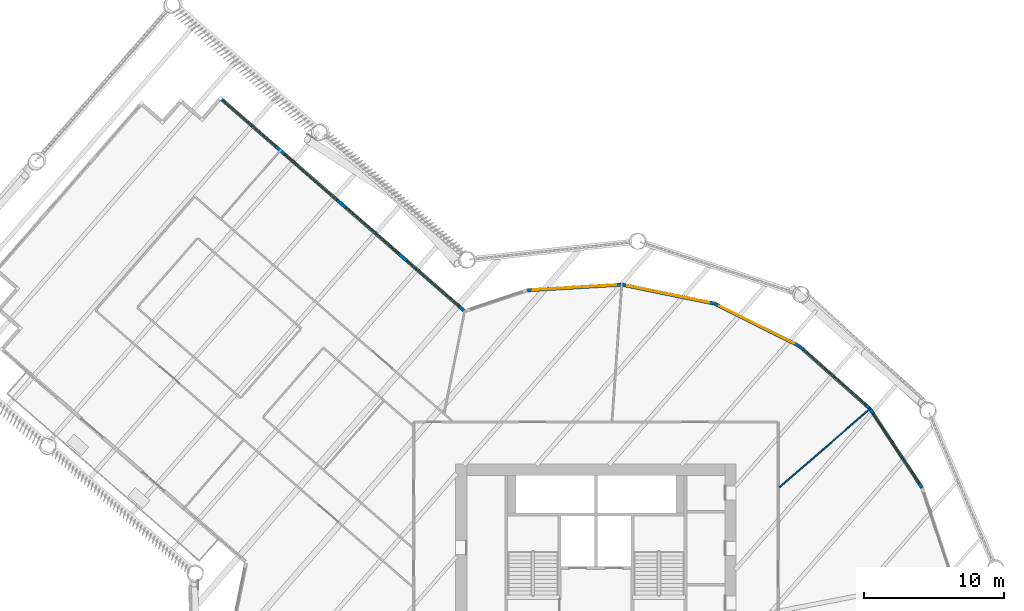
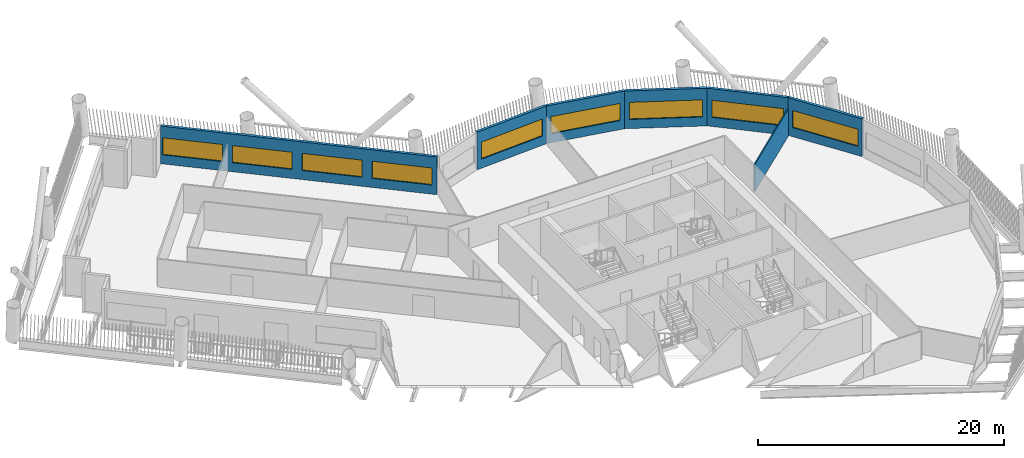
# One storey, part 7 of 21: 9 windows, 7 walls, 9 openings.
"""IFC4 building model written with IfcOpenShell, lengths in metres."""

from ifc_helpers import new_model, si_unit, direction, frame, frame_2d, origin, place, context, subcontext, project, spatial, rectangle, extrude, material, layer, layer_set, type_object, element, fill, save


model = new_model("IFC4")

# Units and contexts
model_context = context("Model", 3, precision=1e-05, world=origin(), true_north=direction((0.0, 1.0)))
body_context = subcontext(model_context, "Body", "Model", "MODEL_VIEW")
ifc_project = project(units=[si_unit("LENGTHUNIT", "METRE"), si_unit("AREAUNIT", "SQUARE_METRE"), si_unit("VOLUMEUNIT", "CUBIC_METRE"), si_unit("PLANEANGLEUNIT", "RADIAN"), si_unit("MASSUNIT", "GRAM", prefix="KILO")], contexts=[model_context])

# Site, building, storey
site_placement = place(None, origin())
site = spatial("IfcSite", under=ifc_project, at=site_placement, CompositionType="ELEMENT")
building_placement = place(site_placement, origin())
building = spatial("IfcBuilding", under=site, at=building_placement, Name="Tarsis Ring Headquarters", CompositionType="ELEMENT")
storey_placement = place(building_placement, frame((0.0, 0.0, 100.60009765625)))
storey = spatial("IfcBuildingStorey", under=building, at=storey_placement, Name="L22", CompositionType="ELEMENT", Elevation=100.60009765625)

# Wall
ifc_material_1 = material(Name="Gypsum board on steel studs", Category="steel")
ifc_layer_1 = layer(ifc_material_1, 0.10009765625)
ifc_layer_set_1 = layer_set([ifc_layer_1], Name="FL partition 100 unrated")
wall_type_1 = type_object("IfcWallType", Name="FL partition 100 unrated", PredefinedType="PARTITIONING", material=ifc_layer_set_1)
wall_1_placement = place(storey_placement, frame((13.0830078125, 11.3408203125, 0.0), z_axis=(0.0, 0.0, 1.0), x_axis=(0.755607904253, 0.655024194233, 0.0)))
element("IfcWall", 1, at=wall_1_placement, inside=storey, type_object=wall_type_1, Name="Partition PW3", PredefinedType="PARTITIONING", context=body_context, shape_type="SweptSolid", body=[
    extrude(rectangle(XDim=8.6337890625, YDim=0.10009765625, at=frame_2d((4.31689453125, 0.0))), origin(), (0.0, 0.0, 1.0), 2.699951171875),
])

# Wall, opening, window
ifc_material_2 = material(Name="Terracotta clad insulated panel wall", Category="masonry")
ifc_layer_2 = layer(ifc_material_2, 0.25)
ifc_layer_set_2 = layer_set([ifc_layer_2], Name="Facade wall terracotta panel 250")
wall_type_2 = type_object("IfcWallType", Name="Facade wall terracotta panel 250", PredefinedType="STANDARD", material=ifc_layer_set_2)
wall_2_placement = place(storey_placement, frame((23.261962890625, 11.32373046875, 0.0), z_axis=(0.0, 0.0, 1.0), x_axis=(-0.550762759178, 0.834661837574, 0.0)))
wall_2 = element("IfcWall", 2, at=wall_2_placement, inside=storey, type_object=wall_type_2, Name="External wall L22-25", PredefinedType="STANDARD", context=body_context, shape_type="SweptSolid", body=[
    extrude(rectangle(XDim=6.721435546875, YDim=0.25, at=frame_2d((3.36083984375, 0.0))), origin(), (0.0, 0.0, 1.0), 3.739990234375),
])
opening_1_placement = place(wall_2_placement, frame((0.3857421875, 0.0, 0.89990234375)))
opening_1 = element("IfcOpeningElement", 3, at=opening_1_placement, cuts=wall_2, Name="Opening WN07", PredefinedType="OPENING", context=body_context, shape_type="SweptSolid", body=[
    extrude(rectangle(XDim=5.949951171875, YDim=1.699951171875, at=frame_2d((2.97509765625, 0.85009765625))), frame((0.0, 0.135009765625, 0.0), z_axis=(0.0, -1.0, 0.0), x_axis=(1.0, 0.0, 0.0)), (0.0, 0.0, 1.0), 0.27001953125),
])
ifc_material_3 = material(Name="Aluminium framed double glazing", Category="aluminium")
window_type_1 = type_object("IfcWindowType", Name="Facade window 5950 x 1700", PartitioningType="SINGLE_PANEL", PredefinedType="WINDOW", material=ifc_material_3)
window_1_placement = place(opening_1_placement, origin())
window_1 = element("IfcWindow", 4, at=window_1_placement, inside=storey, type_object=window_type_1, Name="Window L22-25.1", OverallHeight=1.699951171875, OverallWidth=5.949951171875, PartitioningType="SINGLE_PANEL", PredefinedType="WINDOW", context=body_context, shape_type="SweptSolid", body=[
    extrude(rectangle(XDim=5.949951171875, YDim=1.699951171875, at=frame_2d((2.97509765625, 0.85009765625))), frame((0.0, 0.030029296875, 0.0), z_axis=(0.0, -1.0, 0.0), x_axis=(1.0, 0.0, 0.0)), (0.0, 0.0, 1.0), 0.06005859375),
])
fill(opening_1, window_1)

wall_3_placement = place(storey_placement, frame((19.53857421875, 16.95849609375, 0.0), z_axis=(0.0, 0.0, 1.0), x_axis=(-0.748036246511, 0.663657874138, 0.0)))
wall_3 = element("IfcWall", 5, at=wall_3_placement, inside=storey, type_object=wall_type_2, Name="External wall L22-26", PredefinedType="STANDARD", context=body_context, shape_type="SweptSolid", body=[
    extrude(rectangle(XDim=6.721435546875, YDim=0.25, at=frame_2d((3.36083984375, 0.0))), origin(), (0.0, 0.0, 1.0), 3.739990234375),
])
opening_2_placement = place(wall_3_placement, frame((0.3857421875, 0.0, 0.89990234375)))
opening_2 = element("IfcOpeningElement", 6, at=opening_2_placement, cuts=wall_3, Name="Opening WN07", PredefinedType="OPENING", context=body_context, shape_type="SweptSolid", body=[
    extrude(rectangle(XDim=5.949951171875, YDim=1.699951171875, at=frame_2d((2.97509765625, 0.85009765625))), frame((0.0, 0.135009765625, 0.0), z_axis=(0.0, -1.0, 0.0), x_axis=(1.0, 0.0, 0.0)), (0.0, 0.0, 1.0), 0.27001953125),
])
window_2_placement = place(opening_2_placement, origin())
window_2 = element("IfcWindow", 7, at=window_2_placement, inside=storey, type_object=window_type_1, Name="Window L22-26.1", OverallHeight=1.699951171875, OverallWidth=5.949951171875, PartitioningType="SINGLE_PANEL", PredefinedType="WINDOW", context=body_context, shape_type="SweptSolid", body=[
    extrude(rectangle(XDim=5.949951171875, YDim=1.699951171875, at=frame_2d((2.97509765625, 0.85009765625))), frame((0.0, 0.030029296875, 0.0), z_axis=(0.0, -1.0, 0.0), x_axis=(1.0, 0.0, 0.0)), (0.0, 0.0, 1.0), 0.06005859375),
])
fill(opening_2, window_2)

wall_4_placement = place(storey_placement, frame((14.483642578125, 21.4375, 0.0), z_axis=(0.0, 0.0, 1.0), x_axis=(-0.894303659376, 0.447460573488, 0.0)))
wall_4 = element("IfcWall", 8, at=wall_4_placement, inside=storey, type_object=wall_type_2, Name="External wall L22-27", PredefinedType="STANDARD", context=body_context, shape_type="SweptSolid", body=[
    extrude(rectangle(XDim=6.721435546875, YDim=0.25, at=frame_2d((3.36083984375, 0.0))), origin(), (0.0, 0.0, 1.0), 3.739990234375),
])
opening_3_placement = place(wall_4_placement, frame((0.3857421875, 0.0, 0.89990234375)))
opening_3 = element("IfcOpeningElement", 9, at=opening_3_placement, cuts=wall_4, Name="Opening WN07", PredefinedType="OPENING", context=body_context, shape_type="SweptSolid", body=[
    extrude(rectangle(XDim=5.949951171875, YDim=1.699951171875, at=frame_2d((2.97509765625, 0.85009765625))), frame((0.0, 0.135009765625, 0.0), z_axis=(0.0, -1.0, 0.0), x_axis=(1.0, 0.0, 0.0)), (0.0, 0.0, 1.0), 0.27001953125),
])
window_3_placement = place(opening_3_placement, origin())
window_3 = element("IfcWindow", 10, at=window_3_placement, inside=storey, type_object=window_type_1, Name="Window L22-27.1", OverallHeight=1.699951171875, OverallWidth=5.949951171875, PartitioningType="SINGLE_PANEL", PredefinedType="WINDOW", context=body_context, shape_type="SweptSolid", body=[
    extrude(rectangle(XDim=5.949951171875, YDim=1.699951171875, at=frame_2d((2.97509765625, 0.85009765625))), frame((0.0, 0.030029296875, 0.0), z_axis=(0.0, -1.0, 0.0), x_axis=(1.0, 0.0, 0.0)), (0.0, 0.0, 1.0), 0.06005859375),
])
fill(opening_3, window_3)

wall_5_placement = place(storey_placement, frame((8.441650390625, 24.455810546875, 0.0), z_axis=(0.0, 0.0, 1.0), x_axis=(-0.979649240238, 0.200717129567, 0.0)))
wall_5 = element("IfcWall", 11, at=wall_5_placement, inside=storey, type_object=wall_type_2, Name="External wall L22-28", PredefinedType="STANDARD", context=body_context, shape_type="SweptSolid", body=[
    extrude(rectangle(XDim=6.721435546875, YDim=0.25, at=frame_2d((3.36083984375, 0.0))), origin(), (0.0, 0.0, 1.0), 3.739990234375),
])
opening_4_placement = place(wall_5_placement, frame((0.3857421875, 0.0, 0.89990234375)))
opening_4 = element("IfcOpeningElement", 12, at=opening_4_placement, cuts=wall_5, Name="Opening WN07", PredefinedType="OPENING", context=body_context, shape_type="SweptSolid", body=[
    extrude(rectangle(XDim=5.949951171875, YDim=1.699951171875, at=frame_2d((2.97509765625, 0.85009765625))), frame((0.0, 0.135009765625, 0.0), z_axis=(0.0, -1.0, 0.0), x_axis=(1.0, 0.0, 0.0)), (0.0, 0.0, 1.0), 0.27001953125),
])
window_4_placement = place(opening_4_placement, origin())
window_4 = element("IfcWindow", 13, at=window_4_placement, inside=storey, type_object=window_type_1, Name="Window L22-28.1", OverallHeight=1.699951171875, OverallWidth=5.949951171875, PartitioningType="SINGLE_PANEL", PredefinedType="WINDOW", context=body_context, shape_type="SweptSolid", body=[
    extrude(rectangle(XDim=5.949951171875, YDim=1.699951171875, at=frame_2d((2.97509765625, 0.85009765625))), frame((0.0, 0.030029296875, 0.0), z_axis=(0.0, -1.0, 0.0), x_axis=(1.0, 0.0, 0.0)), (0.0, 0.0, 1.0), 0.06005859375),
])
fill(opening_4, window_4)

wall_6_placement = place(storey_placement, frame((1.824462890625, 25.807373046875, 0.0), z_axis=(0.0, 0.0, 1.0), x_axis=(-0.998219841125, -0.059641837535, 0.0)))
wall_6 = element("IfcWall", 14, at=wall_6_placement, inside=storey, type_object=wall_type_2, Name="External wall L22-29", PredefinedType="STANDARD", context=body_context, shape_type="SweptSolid", body=[
    extrude(rectangle(XDim=6.721435546875, YDim=0.25, at=frame_2d((3.36083984375, 0.0))), origin(), (0.0, 0.0, 1.0), 3.739990234375),
])
opening_5_placement = place(wall_6_placement, frame((0.3857421875, 0.0, 0.89990234375)))
opening_5 = element("IfcOpeningElement", 15, at=opening_5_placement, cuts=wall_6, Name="Opening WN07", PredefinedType="OPENING", context=body_context, shape_type="SweptSolid", body=[
    extrude(rectangle(XDim=5.949951171875, YDim=1.699951171875, at=frame_2d((2.97509765625, 0.85009765625))), frame((0.0, 0.135009765625, 0.0), z_axis=(0.0, -1.0, 0.0), x_axis=(1.0, 0.0, 0.0)), (0.0, 0.0, 1.0), 0.27001953125),
])
window_5_placement = place(opening_5_placement, origin())
window_5 = element("IfcWindow", 16, at=window_5_placement, inside=storey, type_object=window_type_1, Name="Window L22-29.1", OverallHeight=1.699951171875, OverallWidth=5.949951171875, PartitioningType="SINGLE_PANEL", PredefinedType="WINDOW", context=body_context, shape_type="SweptSolid", body=[
    extrude(rectangle(XDim=5.949951171875, YDim=1.699951171875, at=frame_2d((2.97509765625, 0.85009765625))), frame((0.0, 0.030029296875, 0.0), z_axis=(0.0, -1.0, 0.0), x_axis=(1.0, 0.0, 0.0)), (0.0, 0.0, 1.0), 0.06005859375),
])
fill(opening_5, window_5)

# Wall, openings, windows
wall_7_placement = place(storey_placement, frame((-9.419921875, 23.96533203125, 0.0), z_axis=(0.0, 0.0, 1.0), x_axis=(-0.753792497466, 0.657112525192, 0.0)))
wall_7 = element("IfcWall", 17, at=wall_7_placement, inside=storey, type_object=wall_type_2, Name="External wall L22-31", PredefinedType="STANDARD", context=body_context, shape_type="SweptSolid", body=[
    extrude(rectangle(XDim=22.9013671875, YDim=0.25, at=frame_2d((11.45068359375, 0.0))), origin(), (0.0, 0.0, 1.0), 3.739990234375),
])
opening_6_placement = place(wall_7_placement, frame((0.4189453125, 0.0, 0.89990234375)))
opening_6 = element("IfcOpeningElement", 18, at=opening_6_placement, cuts=wall_7, Name="Opening WN05", PredefinedType="OPENING", context=body_context, shape_type="SweptSolid", body=[
    extrude(rectangle(XDim=4.949951171875, YDim=1.699951171875, at=frame_2d((2.47509765625, 0.85009765625))), frame((0.0, 0.135009765625, 0.0), z_axis=(0.0, -1.0, 0.0), x_axis=(1.0, 0.0, 0.0)), (0.0, 0.0, 1.0), 0.27001953125),
])
opening_7_placement = place(wall_7_placement, frame((6.206787109375, 0.0, 0.89990234375)))
opening_7 = element("IfcOpeningElement", 19, at=opening_7_placement, cuts=wall_7, Name="Opening WN05", PredefinedType="OPENING", context=body_context, shape_type="SweptSolid", body=[
    extrude(rectangle(XDim=4.949951171875, YDim=1.699951171875, at=frame_2d((2.47509765625, 0.85009765625))), frame((0.0, 0.135009765625, 0.0), z_axis=(0.0, -1.0, 0.0), x_axis=(1.0, 0.0, 0.0)), (0.0, 0.0, 1.0), 0.27001953125),
])
opening_8_placement = place(wall_7_placement, frame((11.99462890625, 0.0, 0.89990234375)))
opening_8 = element("IfcOpeningElement", 20, at=opening_8_placement, cuts=wall_7, Name="Opening WN05", PredefinedType="OPENING", context=body_context, shape_type="SweptSolid", body=[
    extrude(rectangle(XDim=4.949951171875, YDim=1.699951171875, at=frame_2d((2.47509765625, 0.85009765625))), frame((0.0, 0.135009765625, 0.0), z_axis=(0.0, -1.0, 0.0), x_axis=(1.0, 0.0, 0.0)), (0.0, 0.0, 1.0), 0.27001953125),
])
opening_9_placement = place(wall_7_placement, frame((17.782470703125, 0.0, 0.89990234375)))
opening_9 = element("IfcOpeningElement", 21, at=opening_9_placement, cuts=wall_7, Name="Opening WN05", PredefinedType="OPENING", context=body_context, shape_type="SweptSolid", body=[
    extrude(rectangle(XDim=4.949951171875, YDim=1.699951171875, at=frame_2d((2.47509765625, 0.85009765625))), frame((0.0, 0.135009765625, 0.0), z_axis=(0.0, -1.0, 0.0), x_axis=(1.0, 0.0, 0.0)), (0.0, 0.0, 1.0), 0.27001953125),
])
window_type_2 = type_object("IfcWindowType", Name="Facade window 4950 x 1700", PartitioningType="SINGLE_PANEL", PredefinedType="WINDOW", material=ifc_material_3)
window_6_placement = place(opening_6_placement, origin())
window_6 = element("IfcWindow", 22, at=window_6_placement, inside=storey, type_object=window_type_2, Name="Window L22-31.1", OverallHeight=1.699951171875, OverallWidth=4.949951171875, PartitioningType="SINGLE_PANEL", PredefinedType="WINDOW", context=body_context, shape_type="SweptSolid", body=[
    extrude(rectangle(XDim=4.949951171875, YDim=1.699951171875, at=frame_2d((2.47509765625, 0.85009765625))), frame((0.0, 0.030029296875, 0.0), z_axis=(0.0, -1.0, 0.0), x_axis=(1.0, 0.0, 0.0)), (0.0, 0.0, 1.0), 0.06005859375),
])
fill(opening_6, window_6)
window_7_placement = place(opening_7_placement, origin())
window_7 = element("IfcWindow", 23, at=window_7_placement, inside=storey, type_object=window_type_2, Name="Window L22-31.2", OverallHeight=1.699951171875, OverallWidth=4.949951171875, PartitioningType="SINGLE_PANEL", PredefinedType="WINDOW", context=body_context, shape_type="SweptSolid", body=[
    extrude(rectangle(XDim=4.949951171875, YDim=1.699951171875, at=frame_2d((2.47509765625, 0.85009765625))), frame((0.0, 0.030029296875, 0.0), z_axis=(0.0, -1.0, 0.0), x_axis=(1.0, 0.0, 0.0)), (0.0, 0.0, 1.0), 0.06005859375),
])
fill(opening_7, window_7)
window_8_placement = place(opening_8_placement, origin())
window_8 = element("IfcWindow", 24, at=window_8_placement, inside=storey, type_object=window_type_2, Name="Window L22-31.3", OverallHeight=1.699951171875, OverallWidth=4.949951171875, PartitioningType="SINGLE_PANEL", PredefinedType="WINDOW", context=body_context, shape_type="SweptSolid", body=[
    extrude(rectangle(XDim=4.949951171875, YDim=1.699951171875, at=frame_2d((2.47509765625, 0.85009765625))), frame((0.0, 0.030029296875, 0.0), z_axis=(0.0, -1.0, 0.0), x_axis=(1.0, 0.0, 0.0)), (0.0, 0.0, 1.0), 0.06005859375),
])
fill(opening_8, window_8)
window_9_placement = place(opening_9_placement, origin())
window_9 = element("IfcWindow", 25, at=window_9_placement, inside=storey, type_object=window_type_2, Name="Window L22-31.4", OverallHeight=1.699951171875, OverallWidth=4.949951171875, PartitioningType="SINGLE_PANEL", PredefinedType="WINDOW", context=body_context, shape_type="SweptSolid", body=[
    extrude(rectangle(XDim=4.949951171875, YDim=1.699951171875, at=frame_2d((2.47509765625, 0.85009765625))), frame((0.0, 0.030029296875, 0.0), z_axis=(0.0, -1.0, 0.0), x_axis=(1.0, 0.0, 0.0)), (0.0, 0.0, 1.0), 0.06005859375),
])
fill(opening_9, window_9)

save(model, "model.ifc")
